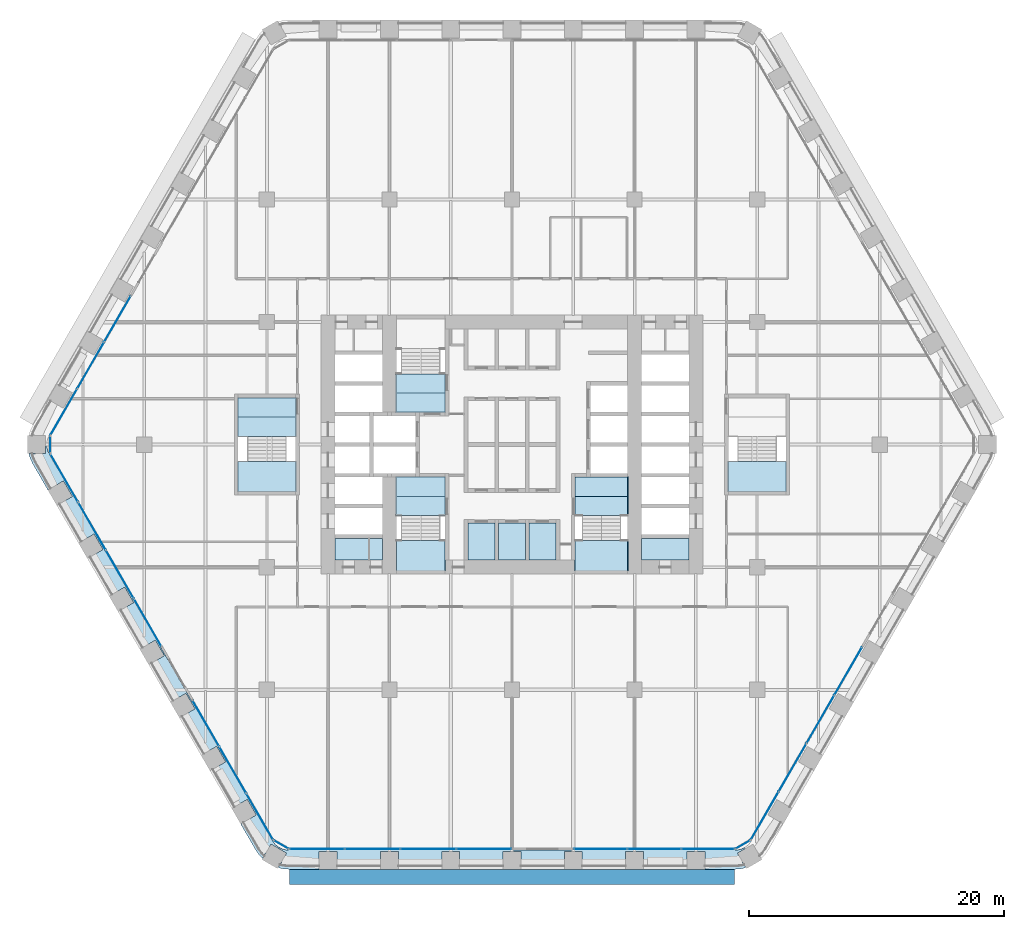
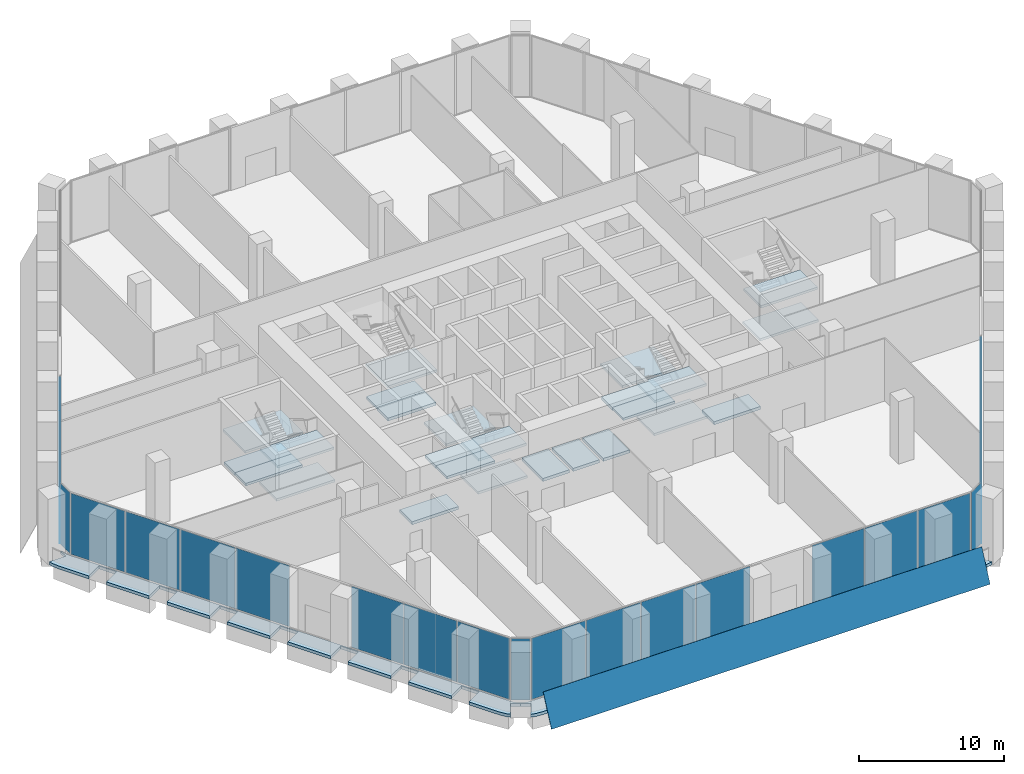
# One storey, part 15 of 27: 27 slabs, 25 plates, 14 elements without a shape of their own.
"""IFC4 building model written with IfcOpenShell, lengths in metres."""

from ifc_helpers import new_model, si_unit, direction, frame, origin, origin_2d, place, context, subcontext, project, spatial, polyline, rectangle, outline, extrude, material, layer, layer_set, type_object, element, aggregate, save


model = new_model("IFC4")

# Units and contexts
model_context = context("Model", 3, precision=1e-05, world=origin(), true_north=direction((0.0, 1.0)))
body_context = subcontext(model_context, "Body", "Model", "MODEL_VIEW")
ifc_project = project(units=[si_unit("LENGTHUNIT", "METRE"), si_unit("AREAUNIT", "SQUARE_METRE"), si_unit("VOLUMEUNIT", "CUBIC_METRE"), si_unit("PLANEANGLEUNIT", "RADIAN"), si_unit("MASSUNIT", "GRAM", prefix="KILO")], contexts=[model_context])

# Site, building, storey
site_placement = place(None, origin())
site = spatial("IfcSite", under=ifc_project, at=site_placement, CompositionType="ELEMENT")
building_placement = place(site_placement, origin())
building = spatial("IfcBuilding", under=site, at=building_placement, Name="Kolab Exchange Tower", CompositionType="ELEMENT")
storey_placement = place(building_placement, frame((0.0, 0.0, 22.39990234375)))
storey = spatial("IfcBuildingStorey", under=building, at=storey_placement, Name="L04", CompositionType="ELEMENT", Elevation=22.39990234375)

# Slabs
ifc_material_1 = material(Name="Concrete C35/45", Category="concrete")
ifc_layer_1 = layer(ifc_material_1, 0.25)
ifc_layer_set_1 = layer_set([ifc_layer_1], Name="Concrete C35/45")
slab_type_1 = type_object("IfcSlabType", Name="FLOOR SLAB 250", PredefinedType="FLOOR", material=ifc_layer_set_1)
slab_1_placement = place(storey_placement, frame((0.0, 0.0, -0.25)))
element("IfcSlab", 1, at=slab_1_placement, inside=storey, type_object=slab_type_1, Name="slab/L04/floor/8", PredefinedType="FLOOR", context=body_context, shape_type="SweptSolid", body=[
    extrude(outline(polyline([(-21.449951171875, 3.64990234375), (-21.449951171875, 2.14990234375), (-16.949951171875, 2.14990234375), (-16.949951171875, 3.64990234375), (-21.449951171875, 3.64990234375)])), origin(), (0.0, 0.0, 1.0), 0.25),
])
slab_2_placement = place(storey_placement, frame((0.0, 0.0, -0.25)))
element("IfcSlab", 2, at=slab_2_placement, inside=storey, type_object=slab_type_1, Name="slab/L04/floor/10", PredefinedType="FLOOR", context=body_context, shape_type="SweptSolid", body=[
    extrude(outline(polyline([(-10.14990234375, -9.050048828125), (-10.14990234375, -7.35009765625), (-13.85009765625, -7.35009765625), (-13.85009765625, -9.050048828125), (-10.14990234375, -9.050048828125)])), origin(), (0.0, 0.0, 1.0), 0.25),
])
slab_3_placement = place(storey_placement, frame((0.0, 0.0, -0.25)))
element("IfcSlab", 3, at=slab_3_placement, inside=storey, type_object=slab_type_1, Name="slab/L04/floor/12", PredefinedType="FLOOR", context=body_context, shape_type="SweptSolid", body=[
    extrude(outline(polyline([(10.14990234375, -7.35009765625), (10.14990234375, -9.050048828125), (13.85009765625, -9.050048828125), (13.85009765625, -7.35009765625), (10.14990234375, -7.35009765625)])), origin(), (0.0, 0.0, 1.0), 0.25),
])
slab_4_placement = place(storey_placement, frame((0.0, 0.0, -0.25)))
element("IfcSlab", 4, at=slab_4_placement, inside=storey, type_object=slab_type_1, Name="slab/L04/floor/14", PredefinedType="FLOOR", context=body_context, shape_type="SweptSolid", body=[
    extrude(outline(polyline([(9.050048828125, -4.050048828125), (9.050048828125, -2.550048828125), (6.14990234375, -2.550048828125), (5.85009765625, -2.550048828125), (4.949951171875, -2.550048828125), (4.949951171875, -4.050048828125), (9.050048828125, -4.050048828125)])), origin(), (0.0, 0.0, 1.0), 0.25),
])
slab_5_placement = place(storey_placement, frame((0.0, 0.0, -0.25)))
element("IfcSlab", 5, at=slab_5_placement, inside=storey, type_object=slab_type_1, Name="slab/L04/floor/15", PredefinedType="FLOOR", context=body_context, shape_type="SweptSolid", body=[
    extrude(outline(polyline([(1.050048828125, -6.14990234375), (-1.050048828125, -6.14990234375), (-1.050048828125, -9.050048828125), (1.050048828125, -9.050048828125), (1.050048828125, -6.14990234375)])), origin(), (0.0, 0.0, 1.0), 0.25),
])
slab_6_placement = place(storey_placement, frame((0.0, 0.0, -0.25)))
element("IfcSlab", 6, at=slab_6_placement, inside=storey, type_object=slab_type_1, Name="slab/L04/floor/17", PredefinedType="FLOOR", context=body_context, shape_type="SweptSolid", body=[
    extrude(outline(polyline([(-1.35009765625, -6.14990234375), (-3.449951171875, -6.14990234375), (-3.449951171875, -9.050048828125), (-1.35009765625, -9.050048828125), (-1.35009765625, -6.14990234375)])), origin(), (0.0, 0.0, 1.0), 0.25),
])
slab_7_placement = place(storey_placement, frame((0.0, 0.0, -0.25)))
element("IfcSlab", 7, at=slab_7_placement, inside=storey, type_object=slab_type_1, Name="slab/L04/floor/19", PredefinedType="FLOOR", context=body_context, shape_type="SweptSolid", body=[
    extrude(outline(polyline([(1.35009765625, -6.14990234375), (1.35009765625, -9.050048828125), (3.449951171875, -9.050048828125), (3.449951171875, -6.14990234375), (1.35009765625, -6.14990234375)])), origin(), (0.0, 0.0, 1.0), 0.25),
])
slab_8_placement = place(storey_placement, frame((0.0, 0.0, -0.25)))
element("IfcSlab", 8, at=slab_8_placement, inside=storey, type_object=slab_type_1, Name="slab/L04/floor/21", PredefinedType="FLOOR", context=body_context, shape_type="SweptSolid", body=[
    extrude(outline(polyline([(-9.050048828125, -4.050048828125), (-5.25, -4.050048828125), (-5.25, -2.550048828125), (-7.25, -2.550048828125), (-7.550048828125, -2.550048828125), (-9.050048828125, -2.550048828125), (-9.050048828125, -4.050048828125)])), origin(), (0.0, 0.0, 1.0), 0.25),
])
slab_9_placement = place(storey_placement, frame((0.0, 0.0, -0.25)))
element("IfcSlab", 9, at=slab_9_placement, inside=storey, type_object=slab_type_1, Name="slab/L04/floor/22", PredefinedType="FLOOR", context=body_context, shape_type="SweptSolid", body=[
    extrude(outline(polyline([(-5.25, 4.050048828125), (-9.050048828125, 4.050048828125), (-9.050048828125, 2.550048828125), (-7.550048828125, 2.550048828125), (-7.25, 2.550048828125), (-5.25, 2.550048828125), (-5.25, 4.050048828125)])), origin(), (0.0, 0.0, 1.0), 0.25),
])
ifc_layer_2 = layer(ifc_material_1, 0.25)
ifc_layer_set_2 = layer_set([ifc_layer_2], Name="Concrete C35/45")
slab_type_2 = type_object("IfcSlabType", Name="LOGGIA SLAB 250", PredefinedType="FLOOR", material=ifc_layer_set_2)
slab_10_placement = place(storey_placement, frame((0.0, 0.0, -0.25)))
element("IfcSlab", 10, at=slab_10_placement, inside=storey, type_object=slab_type_2, Name="slab/L04/loggia/3-0", PredefinedType="FLOOR", context=body_context, shape_type="SweptSolid", body=[
    extrude(outline(polyline([(-18.218017578125, -31.554443359375), (-18.26806640625, -31.64111328125), (-17.66162109375, -31.990966796875), (-18.31494140625, -33.122314453125), (-17.989013671875, -33.209716796875), (-17.468017578125, -33.25537109375), (-15.10009765625, -33.25537109375), (-15.10009765625, -31.85546875), (-13.699951171875, -31.85546875), (-13.699951171875, -33.25537109375), (-10.300048828125, -33.25537109375), (-10.300048828125, -31.85546875), (-8.89990234375, -31.85546875), (-8.89990234375, -33.25537109375), (-5.5, -33.25537109375), (-5.5, -31.85546875), (-4.10009765625, -31.85546875), (-4.10009765625, -33.25537109375), (-0.699951171875, -33.25537109375), (-0.699951171875, -31.85546875), (0.699951171875, -31.85546875), (0.699951171875, -33.25537109375), (4.10009765625, -33.25537109375), (4.10009765625, -31.85546875), (5.5, -31.85546875), (5.5, -33.25537109375), (8.89990234375, -33.25537109375), (8.89990234375, -31.85546875), (10.300048828125, -31.85546875), (10.300048828125, -33.25537109375), (13.699951171875, -33.25537109375), (13.699951171875, -31.85546875), (15.10009765625, -31.85546875), (15.10009765625, -33.25537109375), (17.468017578125, -33.25537109375), (17.989013671875, -33.209716796875), (18.31494140625, -33.122314453125), (17.66162109375, -31.990966796875), (18.26806640625, -31.64111328125), (18.218017578125, -31.554443359375), (17.98095703125, -31.664794921875), (17.728515625, -31.732666015625), (17.468017578125, -31.75537109375), (-17.468017578125, -31.75537109375), (-17.728515625, -31.732666015625), (-17.98095703125, -31.664794921875), (-18.218017578125, -31.554443359375)])), origin(), (0.0, 0.0, 1.0), 0.25),
])
slab_11_placement = place(storey_placement, frame((0.0, 0.0, -0.25)))
element("IfcSlab", 11, at=slab_11_placement, inside=storey, type_object=slab_type_2, Name="slab/L04/loggia/4-0", PredefinedType="FLOOR", context=body_context, shape_type="SweptSolid", body=[
    extrude(outline(polyline([(-36.435791015625, 0.0), (-36.535888671875, 0.0), (-36.535888671875, -0.699951171875), (-37.84228515625, -0.699951171875), (-37.7548828125, -1.026123046875), (-37.533935546875, -1.5), (-36.35009765625, -3.55078125), (-35.137451171875, -2.8505859375), (-34.4375, -4.063232421875), (-35.64990234375, -4.76318359375), (-33.949951171875, -7.70751953125), (-32.737548828125, -7.007568359375), (-32.03759765625, -8.219970703125), (-33.25, -8.920166015625), (-31.550048828125, -11.864501953125), (-30.337646484375, -11.16455078125), (-29.637451171875, -12.376953125), (-30.85009765625, -13.076904296875), (-29.14990234375, -16.021484375), (-27.9375, -15.321533203125), (-27.237548828125, -16.533935546875), (-28.449951171875, -17.23388671875), (-26.75, -20.178466796875), (-25.53759765625, -19.478271484375), (-24.837646484375, -20.69091796875), (-26.050048828125, -21.390869140625), (-24.35009765625, -24.335205078125), (-23.137451171875, -23.63525390625), (-22.4375, -24.84765625), (-23.64990234375, -25.5478515625), (-21.949951171875, -28.4921875), (-20.737548828125, -27.792236328125), (-20.03759765625, -29.004638671875), (-21.25, -29.70458984375), (-20.06591796875, -31.75537109375), (-19.76611328125, -32.183837890625), (-19.52734375, -32.42236328125), (-18.874267578125, -31.291015625), (-18.26806640625, -31.64111328125), (-18.218017578125, -31.554443359375), (-18.43212890625, -31.404541015625), (-18.616943359375, -31.219482421875), (-18.76708984375, -31.00537109375), (-36.23486328125, -0.75), (-36.345458984375, -0.512939453125), (-36.4130859375, -0.260498046875), (-36.435791015625, 0.0)])), origin(), (0.0, 0.0, 1.0), 0.25),
])

# Plate
ifc_material_2 = material(Name="Laminated glass, clear", Category="glass")
ifc_layer_3 = layer(ifc_material_2, 0.0400390625)
ifc_layer_set_3 = layer_set([ifc_layer_3], Name="Laminated glass, clear")
plate_type_1 = type_object("IfcPlateType", Name="OUTER SKIN LAMINATED GLASS SHEET 40", PredefinedType="SHEET", material=ifc_layer_set_3)
plate_1_placement = place(storey_placement, frame((17.41796875, -34.435302734375, -0.782958984375), z_axis=(0.0, -0.906309875243, 0.422613783538), x_axis=(-1.0, 0.0, 0.0)))
element("IfcPlate", 12, at=plate_1_placement, inside=storey, type_object=plate_type_1, Name="Outer skin", PredefinedType="SHEET", context=body_context, shape_type="SweptSolid", body=[
    extrude(outline(polyline([(0.0, 0.0), (34.8359375, 0.0), (34.8359375, -2.7059095846952848), (0.0, -2.7059095846952848), (0.0, 0.0)])), origin(), (0.0, 0.0, -1.0), 0.0400390625),
])

# Stair, slabs
ifc_material_3 = material(Name="Concrete C50/60", Category="concrete")
stair_type_1 = type_object("IfcStairType", Name="STAIR ST1 RISER 171.9", PredefinedType="DOUBLE_RETURN_STAIR", material=ifc_material_3)
stair_1_placement = place(storey_placement, origin())
stair_1 = element("IfcStair", 13, at=stair_1_placement, inside=storey, type_object=stair_type_1, Name="Stair 1", PredefinedType="DOUBLE_RETURN_STAIR")
ifc_layer_4 = layer(ifc_material_3, 0.199951171875)
ifc_layer_set_4 = layer_set([ifc_layer_4], Name="Concrete C50/60")
slab_type_3 = type_object("IfcSlabType", Name="STAIR LANDING 200", PredefinedType="LANDING", material=ifc_layer_set_4)
slab_12_placement = place(storey_placement, frame((0.0, 0.0, -0.199951171875)))
slab_12 = element("IfcSlab", 14, at=slab_12_placement, type_object=slab_type_3, Name="ST1 landing 1", PredefinedType="LANDING", context=body_context, shape_type="SweptSolid", body=[
    extrude(outline(polyline([(-9.050048828125, 4.050048828125), (-5.25, 4.050048828125), (-5.25, 5.550048828125), (-9.050048828125, 5.550048828125), (-9.050048828125, 4.050048828125)])), origin(), (0.0, 0.0, 1.0), 0.199951171875),
])
slab_13_placement = place(storey_placement, frame((0.0, 0.0, 2.550048828125)))
slab_13 = element("IfcSlab", 15, at=slab_13_placement, type_object=slab_type_3, Name="ST1 landing 3", PredefinedType="LANDING", context=body_context, shape_type="SweptSolid", body=[
    extrude(outline(polyline([(-9.110107421875, 2.489990234375), (-5.18994140625, 2.489990234375), (-5.18994140625, 5.550048828125), (-9.110107421875, 5.550048828125), (-9.110107421875, 2.489990234375)])), origin(), (0.0, 0.0, 1.0), 0.199951171875),
])
aggregate(stair_1, [slab_12, slab_13])

stair_type_2 = type_object("IfcStairType", Name="STAIR ST3 RISER 171.9", PredefinedType="DOUBLE_RETURN_STAIR", material=ifc_material_3)
stair_2_placement = place(storey_placement, origin())
stair_2 = element("IfcStair", 16, at=stair_2_placement, inside=storey, type_object=stair_type_2, Name="Stair 3", PredefinedType="DOUBLE_RETURN_STAIR")
slab_14_placement = place(storey_placement, frame((0.0, 0.0, -0.199951171875)))
slab_14 = element("IfcSlab", 17, at=slab_14_placement, type_object=slab_type_3, Name="ST3 landing 1", PredefinedType="LANDING", context=body_context, shape_type="SweptSolid", body=[
    extrude(outline(polyline([(-9.050048828125, -5.550048828125), (-5.25, -5.550048828125), (-5.25, -4.050048828125), (-9.050048828125, -4.050048828125), (-9.050048828125, -5.550048828125)])), origin(), (0.0, 0.0, 1.0), 0.199951171875),
])
slab_15_placement = place(storey_placement, frame((0.0, 0.0, 1.175048828125)))
slab_15 = element("IfcSlab", 18, at=slab_15_placement, type_object=slab_type_3, Name="ST3 landing 2", PredefinedType="LANDING", context=body_context, shape_type="SweptSolid", body=[
    extrude(outline(polyline([(-9.110107421875, -9.909912109375), (-5.18994140625, -9.909912109375), (-5.18994140625, -7.510009765625), (-9.110107421875, -7.510009765625), (-9.110107421875, -9.909912109375)])), origin(), (0.0, 0.0, 1.0), 0.199951171875),
])
slab_16_placement = place(storey_placement, frame((0.0, 0.0, 2.550048828125)))
slab_16 = element("IfcSlab", 19, at=slab_16_placement, type_object=slab_type_3, Name="ST3 landing 3", PredefinedType="LANDING", context=body_context, shape_type="SweptSolid", body=[
    extrude(outline(polyline([(-9.110107421875, -5.550048828125), (-5.18994140625, -5.550048828125), (-5.18994140625, -2.489990234375), (-9.110107421875, -2.489990234375), (-9.110107421875, -5.550048828125)])), origin(), (0.0, 0.0, 1.0), 0.199951171875),
])
slab_17_placement = place(storey_placement, frame((0.0, 0.0, 3.925048828125)))
slab_17 = element("IfcSlab", 20, at=slab_17_placement, type_object=slab_type_3, Name="ST3 landing 4", PredefinedType="LANDING", context=body_context, shape_type="SweptSolid", body=[
    extrude(outline(polyline([(-9.050048828125, -9.909912109375), (-5.25, -9.909912109375), (-5.25, -7.510009765625), (-9.050048828125, -7.510009765625), (-9.050048828125, -9.909912109375)])), origin(), (0.0, 0.0, 1.0), 0.199951171875),
])
aggregate(stair_2, [slab_14, slab_15, slab_16, slab_17])

stair_type_3 = type_object("IfcStairType", Name="STAIR ST2 RISER 171.9", PredefinedType="DOUBLE_RETURN_STAIR", material=ifc_material_3)
stair_3_placement = place(storey_placement, origin())
stair_3 = element("IfcStair", 21, at=stair_3_placement, inside=storey, type_object=stair_type_3, Name="Stair 2", PredefinedType="DOUBLE_RETURN_STAIR")
slab_18_placement = place(storey_placement, frame((0.0, 0.0, -0.199951171875)))
slab_18 = element("IfcSlab", 22, at=slab_18_placement, type_object=slab_type_3, Name="ST2 landing 1", PredefinedType="LANDING", context=body_context, shape_type="SweptSolid", body=[
    extrude(outline(polyline([(4.949951171875, -5.550048828125), (9.050048828125, -5.550048828125), (9.050048828125, -4.050048828125), (4.949951171875, -4.050048828125), (4.949951171875, -5.550048828125)])), origin(), (0.0, 0.0, 1.0), 0.199951171875),
])
slab_19_placement = place(storey_placement, frame((0.0, 0.0, 1.175048828125)))
slab_19 = element("IfcSlab", 23, at=slab_19_placement, type_object=slab_type_3, Name="ST2 landing 2", PredefinedType="LANDING", context=body_context, shape_type="SweptSolid", body=[
    extrude(outline(polyline([(4.889892578125, -9.909912109375), (9.110107421875, -9.909912109375), (9.110107421875, -7.510009765625), (4.889892578125, -7.510009765625), (4.889892578125, -9.909912109375)])), origin(), (0.0, 0.0, 1.0), 0.199951171875),
])
slab_20_placement = place(storey_placement, frame((0.0, 0.0, 2.550048828125)))
slab_20 = element("IfcSlab", 24, at=slab_20_placement, type_object=slab_type_3, Name="ST2 landing 3", PredefinedType="LANDING", context=body_context, shape_type="SweptSolid", body=[
    extrude(outline(polyline([(4.889892578125, -5.550048828125), (9.110107421875, -5.550048828125), (9.110107421875, -2.489990234375), (4.889892578125, -2.489990234375), (4.889892578125, -5.550048828125)])), origin(), (0.0, 0.0, 1.0), 0.199951171875),
])
slab_21_placement = place(storey_placement, frame((0.0, 0.0, 3.925048828125)))
slab_21 = element("IfcSlab", 25, at=slab_21_placement, type_object=slab_type_3, Name="ST2 landing 4", PredefinedType="LANDING", context=body_context, shape_type="SweptSolid", body=[
    extrude(outline(polyline([(4.949951171875, -9.909912109375), (9.050048828125, -9.909912109375), (9.050048828125, -7.510009765625), (4.949951171875, -7.510009765625), (4.949951171875, -9.909912109375)])), origin(), (0.0, 0.0, 1.0), 0.199951171875),
])
aggregate(stair_3, [slab_18, slab_19, slab_20, slab_21])

stair_type_4 = type_object("IfcStairType", Name="STAIR ST4 RISER 171.9", PredefinedType="DOUBLE_RETURN_STAIR", material=ifc_material_3)
stair_4_placement = place(storey_placement, origin())
stair_4 = element("IfcStair", 26, at=stair_4_placement, inside=storey, type_object=stair_type_4, Name="Stair 4", PredefinedType="DOUBLE_RETURN_STAIR")
slab_22_placement = place(storey_placement, frame((0.0, 0.0, 1.175048828125)))
slab_22 = element("IfcSlab", 27, at=slab_22_placement, type_object=slab_type_3, Name="ST4 landing 2", PredefinedType="LANDING", context=body_context, shape_type="SweptSolid", body=[
    extrude(outline(polyline([(16.889892578125, -3.7099609375), (21.510009765625, -3.7099609375), (21.510009765625, -1.31005859375), (16.889892578125, -1.31005859375), (16.889892578125, -3.7099609375)])), origin(), (0.0, 0.0, 1.0), 0.199951171875),
])
slab_23_placement = place(storey_placement, frame((0.0, 0.0, 3.925048828125)))
slab_23 = element("IfcSlab", 28, at=slab_23_placement, type_object=slab_type_3, Name="ST4 landing 4", PredefinedType="LANDING", context=body_context, shape_type="SweptSolid", body=[
    extrude(outline(polyline([(16.949951171875, -3.7099609375), (21.449951171875, -3.7099609375), (21.449951171875, -1.31005859375), (16.949951171875, -1.31005859375), (16.949951171875, -3.7099609375)])), origin(), (0.0, 0.0, 1.0), 0.199951171875),
])
aggregate(stair_4, [slab_22, slab_23])

stair_type_5 = type_object("IfcStairType", Name="STAIR ST5 RISER 171.9", PredefinedType="DOUBLE_RETURN_STAIR", material=ifc_material_3)
stair_5_placement = place(storey_placement, origin())
stair_5 = element("IfcStair", 29, at=stair_5_placement, inside=storey, type_object=stair_type_5, Name="Stair 5", PredefinedType="DOUBLE_RETURN_STAIR")
slab_24_placement = place(storey_placement, frame((0.0, 0.0, -0.199951171875)))
slab_24 = element("IfcSlab", 30, at=slab_24_placement, type_object=slab_type_3, Name="ST5 landing 1", PredefinedType="LANDING", context=body_context, shape_type="SweptSolid", body=[
    extrude(outline(polyline([(-21.449951171875, 0.64990234375), (-16.949951171875, 0.64990234375), (-16.949951171875, 2.14990234375), (-21.449951171875, 2.14990234375), (-21.449951171875, 0.64990234375)])), origin(), (0.0, 0.0, 1.0), 0.199951171875),
])
slab_25_placement = place(storey_placement, frame((0.0, 0.0, 1.175048828125)))
slab_25 = element("IfcSlab", 31, at=slab_25_placement, type_object=slab_type_3, Name="ST5 landing 2", PredefinedType="LANDING", context=body_context, shape_type="SweptSolid", body=[
    extrude(outline(polyline([(-21.510009765625, -3.7099609375), (-16.889892578125, -3.7099609375), (-16.889892578125, -1.31005859375), (-21.510009765625, -1.31005859375), (-21.510009765625, -3.7099609375)])), origin(), (0.0, 0.0, 1.0), 0.199951171875),
])
slab_26_placement = place(storey_placement, frame((0.0, 0.0, 2.550048828125)))
slab_26 = element("IfcSlab", 32, at=slab_26_placement, type_object=slab_type_3, Name="ST5 landing 3", PredefinedType="LANDING", context=body_context, shape_type="SweptSolid", body=[
    extrude(outline(polyline([(-21.510009765625, 0.64990234375), (-16.889892578125, 0.64990234375), (-16.889892578125, 3.7099609375), (-21.510009765625, 3.7099609375), (-21.510009765625, 0.64990234375)])), origin(), (0.0, 0.0, 1.0), 0.199951171875),
])
slab_27_placement = place(storey_placement, frame((0.0, 0.0, 3.925048828125)))
slab_27 = element("IfcSlab", 33, at=slab_27_placement, type_object=slab_type_3, Name="ST5 landing 4", PredefinedType="LANDING", context=body_context, shape_type="SweptSolid", body=[
    extrude(outline(polyline([(-21.449951171875, -3.7099609375), (-16.949951171875, -3.7099609375), (-16.949951171875, -1.31005859375), (-21.449951171875, -1.31005859375), (-21.449951171875, -3.7099609375)])), origin(), (0.0, 0.0, 1.0), 0.199951171875),
])
aggregate(stair_5, [slab_24, slab_25, slab_26, slab_27])

# Curtain wall, plates
ifc_material_4 = material(Name="Aluminium EN AW-6063 T6", Category="aluminium")
curtain_wall_type = type_object("IfcCurtainWallType", Name="UNITISED LOW ZONE CURTAIN WALL", PredefinedType="NOTDEFINED", material=ifc_material_4)
curtain_wall_1_placement = place(storey_placement, origin())
curtain_wall_1 = element("IfcCurtainWall", 34, at=curtain_wall_1_placement, inside=storey, type_object=curtain_wall_type, Name="cw/L04/F3-2", PredefinedType="NOTDEFINED")
ifc_material_5 = material(Name="Clear insulated glazing unit", Category="glass")
ifc_layer_5 = layer(ifc_material_5, 0.02392578125)
ifc_layer_set_5 = layer_set([ifc_layer_5], Name="Clear insulated glazing unit")
plate_type_2 = type_object("IfcPlateType", Name="UNITISED LOW ZONE GLASS PANEL 24", PredefinedType="CURTAIN_PANEL", material=ifc_layer_set_5)
plate_2_placement = place(storey_placement, frame((26.33251953125, -17.74169921875, 0.06005859375), z_axis=(0.0, 0.0, 1.0), x_axis=(-0.5000000112, -0.866025397318, 0.0)))
plate_2 = element("IfcPlate", 35, at=plate_2_placement, type_object=plate_type_2, Name="CW1 panel 1.1", PredefinedType="CURTAIN_PANEL", context=body_context, shape_type="SweptSolid", body=[
    extrude(rectangle(XDim=4.277099609375, YDim=0.02392578125, at=origin_2d()), origin(), (0.0, 0.0, 1.0), 5.1298828125),
])
plate_3_placement = place(storey_placement, frame((24.156494140625, -21.510498046875, 0.06005859375), z_axis=(0.0, 0.0, 1.0), x_axis=(-0.5000000112, -0.866025397318, 0.0)))
plate_3 = element("IfcPlate", 36, at=plate_3_placement, type_object=plate_type_2, Name="CW1 panel 2.1", PredefinedType="CURTAIN_PANEL", context=body_context, shape_type="SweptSolid", body=[
    extrude(rectangle(XDim=4.306884765625, YDim=0.02392578125, at=origin_2d()), origin(), (0.0, 0.0, 1.0), 5.1298828125),
])
plate_4_placement = place(storey_placement, frame((21.972900390625, -25.29248046875, 0.06005859375), z_axis=(0.0, 0.0, 1.0), x_axis=(-0.5000000112, -0.866025397318, 0.0)))
plate_4 = element("IfcPlate", 37, at=plate_4_placement, type_object=plate_type_2, Name="CW1 panel 3.1", PredefinedType="CURTAIN_PANEL", context=body_context, shape_type="SweptSolid", body=[
    extrude(rectangle(XDim=4.306884765625, YDim=0.02392578125, at=origin_2d()), origin(), (0.0, 0.0, 1.0), 5.1298828125),
])
plate_5_placement = place(storey_placement, frame((19.796875, -29.0615234375, 0.06005859375), z_axis=(0.0, 0.0, 1.0), x_axis=(-0.5000000112, -0.866025397318, 0.0)))
plate_5 = element("IfcPlate", 38, at=plate_5_placement, type_object=plate_type_2, Name="CW1 panel 4.1", PredefinedType="CURTAIN_PANEL", context=body_context, shape_type="SweptSolid", body=[
    extrude(rectangle(XDim=4.277099609375, YDim=0.02392578125, at=origin_2d()), origin(), (0.0, 0.0, 1.0), 5.1298828125),
])
aggregate(curtain_wall_1, [plate_2, plate_3, plate_4, plate_5])

curtain_wall_2_placement = place(storey_placement, origin())
curtain_wall_2 = element("IfcCurtainWall", 39, at=curtain_wall_2_placement, inside=storey, type_object=curtain_wall_type, Name="cw/L04/F4-1", PredefinedType="NOTDEFINED")
plate_6_placement = place(storey_placement, frame((15.341552734375, -31.67529296875, 0.06005859375), z_axis=(0.0, 0.0, 1.0), x_axis=(-1.0, 0.0, 0.0)))
plate_6 = element("IfcPlate", 40, at=plate_6_placement, type_object=plate_type_2, Name="CW1 panel 1.1", PredefinedType="CURTAIN_PANEL", context=body_context, shape_type="SweptSolid", body=[
    extrude(rectangle(XDim=4.132568359375, YDim=0.02392578125, at=origin_2d()), origin(), (0.0, 0.0, 1.0), 5.1298828125),
])
plate_7_placement = place(storey_placement, frame((11.134033203125, -31.67529296875, 0.06005859375), z_axis=(0.0, 0.0, 1.0), x_axis=(-1.0, 0.0, 0.0)))
plate_7 = element("IfcPlate", 41, at=plate_7_placement, type_object=plate_type_2, Name="CW1 panel 2.1", PredefinedType="CURTAIN_PANEL", context=body_context, shape_type="SweptSolid", body=[
    extrude(rectangle(XDim=4.16259765625, YDim=0.02392578125, at=origin_2d()), origin(), (0.0, 0.0, 1.0), 5.1298828125),
])
plate_8_placement = place(storey_placement, frame((6.92626953125, -31.67529296875, 0.06005859375), z_axis=(0.0, 0.0, 1.0), x_axis=(-1.0, 0.0, 0.0)))
plate_8 = element("IfcPlate", 42, at=plate_8_placement, type_object=plate_type_2, Name="CW1 panel 3.1", PredefinedType="CURTAIN_PANEL", context=body_context, shape_type="SweptSolid", body=[
    extrude(rectangle(XDim=4.132568359375, YDim=0.02392578125, at=origin_2d()), origin(), (0.0, 0.0, 1.0), 5.1298828125),
])
aggregate(curtain_wall_2, [plate_6, plate_7, plate_8])

curtain_wall_3_placement = place(storey_placement, origin())
curtain_wall_3 = element("IfcCurtainWall", 43, at=curtain_wall_3_placement, inside=storey, type_object=curtain_wall_type, Name="cw/L04/F4-2", PredefinedType="NOTDEFINED")
plate_9_placement = place(storey_placement, frame((-2.198486328125, -31.67529296875, 0.06005859375), z_axis=(0.0, 0.0, 1.0), x_axis=(-1.0, 0.0, 0.0)))
plate_9 = element("IfcPlate", 44, at=plate_9_placement, type_object=plate_type_2, Name="CW1 panel 1.1", PredefinedType="CURTAIN_PANEL", context=body_context, shape_type="SweptSolid", body=[
    extrude(rectangle(XDim=4.277099609375, YDim=0.02392578125, at=origin_2d()), origin(), (0.0, 0.0, 1.0), 5.1298828125),
])
plate_10_placement = place(storey_placement, frame((-6.550537109375, -31.67529296875, 0.06005859375), z_axis=(0.0, 0.0, 1.0), x_axis=(-1.0, 0.0, 0.0)))
plate_10 = element("IfcPlate", 45, at=plate_10_placement, type_object=plate_type_2, Name="CW1 panel 2.1", PredefinedType="CURTAIN_PANEL", context=body_context, shape_type="SweptSolid", body=[
    extrude(rectangle(XDim=4.306884765625, YDim=0.02392578125, at=origin_2d()), origin(), (0.0, 0.0, 1.0), 5.1298828125),
])
plate_11_placement = place(storey_placement, frame((-10.91748046875, -31.67529296875, 0.06005859375), z_axis=(0.0, 0.0, 1.0), x_axis=(-1.0, 0.0, 0.0)))
plate_11 = element("IfcPlate", 46, at=plate_11_placement, type_object=plate_type_2, Name="CW1 panel 3.1", PredefinedType="CURTAIN_PANEL", context=body_context, shape_type="SweptSolid", body=[
    extrude(rectangle(XDim=4.306884765625, YDim=0.02392578125, at=origin_2d()), origin(), (0.0, 0.0, 1.0), 5.1298828125),
])
plate_12_placement = place(storey_placement, frame((-15.26953125, -31.67529296875, 0.06005859375), z_axis=(0.0, 0.0, 1.0), x_axis=(-1.0, 0.0, 0.0)))
plate_12 = element("IfcPlate", 47, at=plate_12_placement, type_object=plate_type_2, Name="CW1 panel 4.1", PredefinedType="CURTAIN_PANEL", context=body_context, shape_type="SweptSolid", body=[
    extrude(rectangle(XDim=4.277099609375, YDim=0.02392578125, at=origin_2d()), origin(), (0.0, 0.0, 1.0), 5.1298828125),
])
aggregate(curtain_wall_3, [plate_9, plate_10, plate_11, plate_12])

curtain_wall_4_placement = place(storey_placement, origin())
curtain_wall_4 = element("IfcCurtainWall", 48, at=curtain_wall_4_placement, inside=storey, type_object=curtain_wall_type, Name="cw/L04/F5-1", PredefinedType="NOTDEFINED")
plate_13_placement = place(storey_placement, frame((-19.760986328125, -29.1240234375, 0.06005859375), z_axis=(0.0, 0.0, 1.0), x_axis=(-0.500000017564, 0.866025393644, 0.0)))
plate_13 = element("IfcPlate", 49, at=plate_13_placement, type_object=plate_type_2, Name="CW1 panel 1.1", PredefinedType="CURTAIN_PANEL", context=body_context, shape_type="SweptSolid", body=[
    extrude(rectangle(XDim=4.132568359375, YDim=0.02392578125, at=origin_2d()), origin(), (0.0, 0.0, 1.0), 5.1298828125),
])
plate_14_placement = place(storey_placement, frame((-21.86474609375, -25.47998046875, 0.06005859375), z_axis=(0.0, 0.0, 1.0), x_axis=(-0.500000017564, 0.866025393644, 0.0)))
plate_14 = element("IfcPlate", 50, at=plate_14_placement, type_object=plate_type_2, Name="CW1 panel 2.1", PredefinedType="CURTAIN_PANEL", context=body_context, shape_type="SweptSolid", body=[
    extrude(rectangle(XDim=4.16259765625, YDim=0.02392578125, at=origin_2d()), origin(), (0.0, 0.0, 1.0), 5.1298828125),
])
plate_15_placement = place(storey_placement, frame((-23.968505859375, -21.836181640625, 0.06005859375), z_axis=(0.0, 0.0, 1.0), x_axis=(-0.500000017564, 0.866025393644, 0.0)))
plate_15 = element("IfcPlate", 51, at=plate_15_placement, type_object=plate_type_2, Name="CW1 panel 3.1", PredefinedType="CURTAIN_PANEL", context=body_context, shape_type="SweptSolid", body=[
    extrude(rectangle(XDim=4.132568359375, YDim=0.02392578125, at=origin_2d()), origin(), (0.0, 0.0, 1.0), 5.1298828125),
])
aggregate(curtain_wall_4, [plate_13, plate_14, plate_15])

curtain_wall_5_placement = place(storey_placement, origin())
curtain_wall_5 = element("IfcCurtainWall", 52, at=curtain_wall_5_placement, inside=storey, type_object=curtain_wall_type, Name="cw/L04/F5-2", PredefinedType="NOTDEFINED")
plate_16_placement = place(storey_placement, frame((-28.531005859375, -13.933837890625, 0.06005859375), z_axis=(0.0, 0.0, 1.0), x_axis=(-0.499999968274, 0.866025422102, 0.0)))
plate_16 = element("IfcPlate", 53, at=plate_16_placement, type_object=plate_type_2, Name="CW1 panel 1.1", PredefinedType="CURTAIN_PANEL", context=body_context, shape_type="SweptSolid", body=[
    extrude(rectangle(XDim=4.277099609375, YDim=0.02392578125, at=origin_2d()), origin(), (0.0, 0.0, 1.0), 5.1298828125),
])
plate_17_placement = place(storey_placement, frame((-30.70703125, -10.164794921875, 0.06005859375), z_axis=(0.0, 0.0, 1.0), x_axis=(-0.499999968274, 0.866025422102, 0.0)))
plate_17 = element("IfcPlate", 54, at=plate_17_placement, type_object=plate_type_2, Name="CW1 panel 2.1", PredefinedType="CURTAIN_PANEL", context=body_context, shape_type="SweptSolid", body=[
    extrude(rectangle(XDim=4.306884765625, YDim=0.02392578125, at=origin_2d()), origin(), (0.0, 0.0, 1.0), 5.1298828125),
])
plate_18_placement = place(storey_placement, frame((-32.890380859375, -6.3828125, 0.06005859375), z_axis=(0.0, 0.0, 1.0), x_axis=(-0.499999968274, 0.866025422102, 0.0)))
plate_18 = element("IfcPlate", 55, at=plate_18_placement, type_object=plate_type_2, Name="CW1 panel 3.1", PredefinedType="CURTAIN_PANEL", context=body_context, shape_type="SweptSolid", body=[
    extrude(rectangle(XDim=4.306884765625, YDim=0.02392578125, at=origin_2d()), origin(), (0.0, 0.0, 1.0), 5.1298828125),
])
plate_19_placement = place(storey_placement, frame((-35.06640625, -2.614013671875, 0.06005859375), z_axis=(0.0, 0.0, 1.0), x_axis=(-0.499999968274, 0.866025422102, 0.0)))
plate_19 = element("IfcPlate", 56, at=plate_19_placement, type_object=plate_type_2, Name="CW1 panel 4.1", PredefinedType="CURTAIN_PANEL", context=body_context, shape_type="SweptSolid", body=[
    extrude(rectangle(XDim=4.277099609375, YDim=0.02392578125, at=origin_2d()), origin(), (0.0, 0.0, 1.0), 5.1298828125),
])
aggregate(curtain_wall_5, [plate_16, plate_17, plate_18, plate_19])

curtain_wall_6_placement = place(storey_placement, origin())
curtain_wall_6 = element("IfcCurtainWall", 57, at=curtain_wall_6_placement, inside=storey, type_object=curtain_wall_type, Name="cw/L04/F6-1", PredefinedType="NOTDEFINED")
plate_20_placement = place(storey_placement, frame((-35.1025390625, 2.551513671875, 0.06005859375), z_axis=(0.0, 0.0, 1.0), x_axis=(0.499999958358, 0.866025427826, 0.0)))
plate_20 = element("IfcPlate", 58, at=plate_20_placement, type_object=plate_type_2, Name="CW1 panel 1.1", PredefinedType="CURTAIN_PANEL", context=body_context, shape_type="SweptSolid", body=[
    extrude(rectangle(XDim=4.132568359375, YDim=0.02392578125, at=origin_2d()), origin(), (0.0, 0.0, 1.0), 5.1298828125),
])
plate_21_placement = place(storey_placement, frame((-32.998779296875, 6.1953125, 0.06005859375), z_axis=(0.0, 0.0, 1.0), x_axis=(0.499999958358, 0.866025427826, 0.0)))
plate_21 = element("IfcPlate", 59, at=plate_21_placement, type_object=plate_type_2, Name="CW1 panel 2.1", PredefinedType="CURTAIN_PANEL", context=body_context, shape_type="SweptSolid", body=[
    extrude(rectangle(XDim=4.16259765625, YDim=0.02392578125, at=origin_2d()), origin(), (0.0, 0.0, 1.0), 5.1298828125),
])
plate_22_placement = place(storey_placement, frame((-30.894775390625, 9.83935546875, 0.06005859375), z_axis=(0.0, 0.0, 1.0), x_axis=(0.499999958358, 0.866025427826, 0.0)))
plate_22 = element("IfcPlate", 60, at=plate_22_placement, type_object=plate_type_2, Name="CW1 panel 3.1", PredefinedType="CURTAIN_PANEL", context=body_context, shape_type="SweptSolid", body=[
    extrude(rectangle(XDim=4.132568359375, YDim=0.02392578125, at=origin_2d()), origin(), (0.0, 0.0, 1.0), 5.1298828125),
])
aggregate(curtain_wall_6, [plate_20, plate_21, plate_22])

# Curtain wall, plate
curtain_wall_7_placement = place(storey_placement, origin())
curtain_wall_7 = element("IfcCurtainWall", 61, at=curtain_wall_7_placement, inside=storey, type_object=curtain_wall_type, Name="cw/L04/F3F4-corner", PredefinedType="NOTDEFINED")
plate_23_placement = place(storey_placement, frame((18.082763671875, -31.3203125, 0.06005859375), z_axis=(0.0, 0.0, 1.0), x_axis=(-0.866025390869, -0.50000002237, 0.0)))
plate_23 = element("IfcPlate", 62, at=plate_23_placement, type_object=plate_type_2, Name="CW1 panel 1.1", PredefinedType="CURTAIN_PANEL", context=body_context, shape_type="SweptSolid", body=[
    extrude(rectangle(XDim=1.300048828125, YDim=0.02392578125, at=origin_2d()), origin(), (0.0, 0.0, 1.0), 5.1298828125),
])
aggregate(curtain_wall_7, [plate_23])

curtain_wall_8_placement = place(storey_placement, origin())
curtain_wall_8 = element("IfcCurtainWall", 63, at=curtain_wall_8_placement, inside=storey, type_object=curtain_wall_type, Name="cw/L04/F4F5-corner", PredefinedType="NOTDEFINED")
plate_24_placement = place(storey_placement, frame((-18.082763671875, -31.3203125, 0.06005859375), z_axis=(0.0, 0.0, 1.0), x_axis=(-0.866025390869, 0.50000002237, 0.0)))
plate_24 = element("IfcPlate", 64, at=plate_24_placement, type_object=plate_type_2, Name="CW1 panel 1.1", PredefinedType="CURTAIN_PANEL", context=body_context, shape_type="SweptSolid", body=[
    extrude(rectangle(XDim=1.300048828125, YDim=0.02392578125, at=origin_2d()), origin(), (0.0, 0.0, 1.0), 5.1298828125),
])
aggregate(curtain_wall_8, [plate_24])

curtain_wall_9_placement = place(storey_placement, origin())
curtain_wall_9 = element("IfcCurtainWall", 65, at=curtain_wall_9_placement, inside=storey, type_object=curtain_wall_type, Name="cw/L04/F5F6-corner", PredefinedType="NOTDEFINED")
plate_25_placement = place(storey_placement, frame((-36.165771484375, 0.0, 0.06005859375), z_axis=(0.0, 0.0, 1.0), x_axis=(0.0, 1.0, 0.0)))
plate_25 = element("IfcPlate", 66, at=plate_25_placement, type_object=plate_type_2, Name="CW1 panel 1.1", PredefinedType="CURTAIN_PANEL", context=body_context, shape_type="SweptSolid", body=[
    extrude(rectangle(XDim=1.300048828125, YDim=0.02392578125, at=origin_2d()), origin(), (0.0, 0.0, 1.0), 5.1298828125),
])
aggregate(curtain_wall_9, [plate_25])

save(model, "model.ifc")
